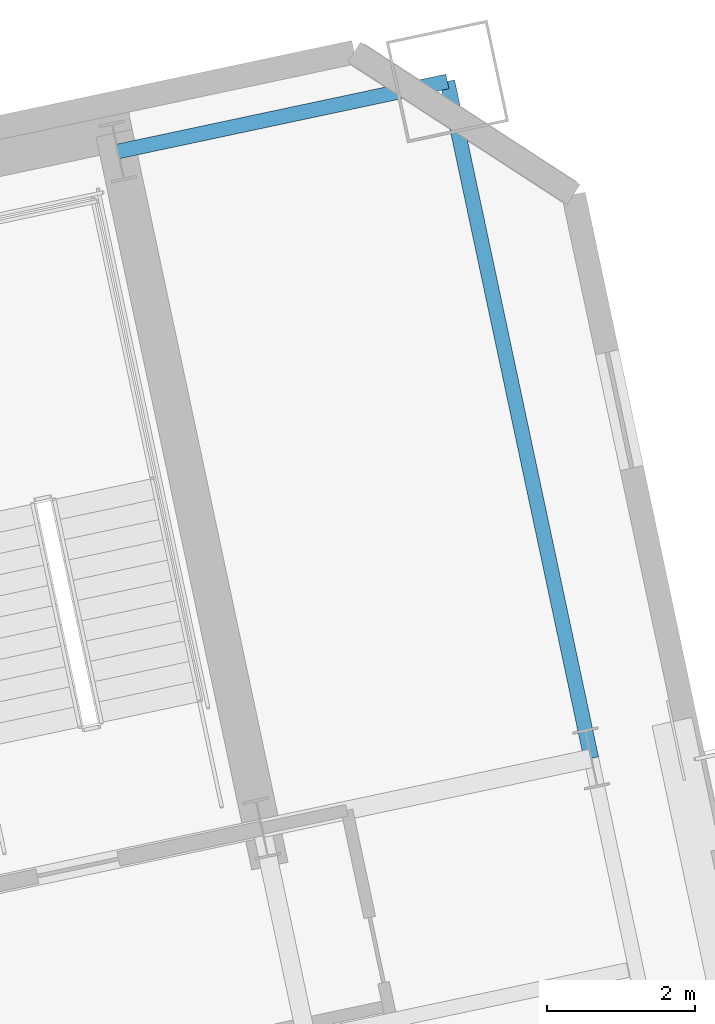
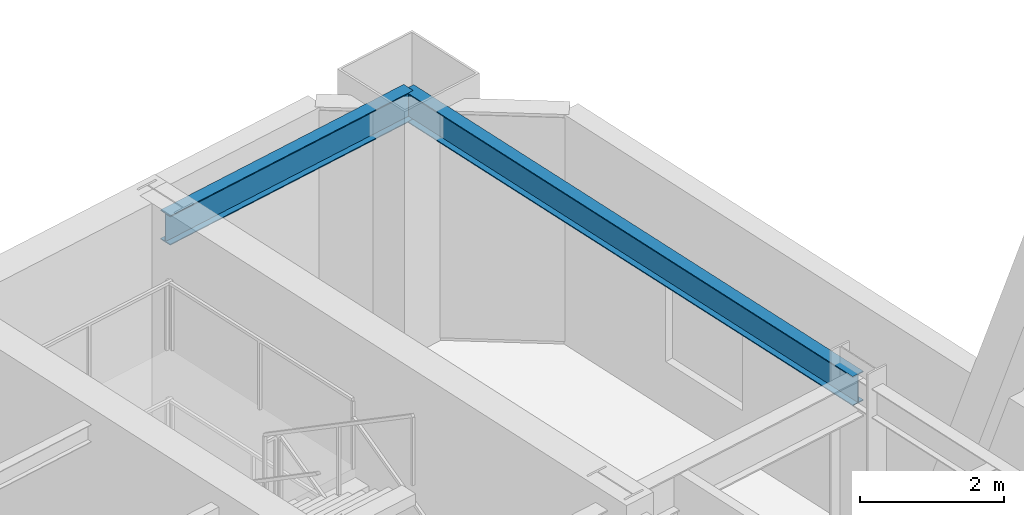
# One storey, part 9 of 22: 2 beams.
"""IFC4 building model written with IfcOpenShell, lengths in metres."""

from ifc_helpers import new_model, si_unit, direction, frame, origin, origin_2d, place, context, subcontext, project, spatial, i_section, extrude, material, material_profile, profile_set, type_object, element, save


model = new_model("IFC4")

# Units and contexts
model_context = context("Model", 3, precision=1e-05, world=origin(), true_north=direction((0.0, 1.0)))
body_context = subcontext(model_context, "Body", "Model", "MODEL_VIEW")
ifc_project = project(units=[si_unit("LENGTHUNIT", "METRE"), si_unit("AREAUNIT", "SQUARE_METRE"), si_unit("VOLUMEUNIT", "CUBIC_METRE"), si_unit("PLANEANGLEUNIT", "RADIAN"), si_unit("MASSUNIT", "GRAM", prefix="KILO")], contexts=[model_context])

# Site, building, storey
site_placement = place(None, origin())
site = spatial("IfcSite", under=ifc_project, at=site_placement, CompositionType="ELEMENT")
building_placement = place(site_placement, origin())
building = spatial("IfcBuilding", under=site, at=building_placement, Name="Haevon Station Towers", CompositionType="ELEMENT")
storey_placement = place(building_placement, frame((0.0, 0.0, 133.800048828125)))
storey = spatial("IfcBuildingStorey", under=building, at=storey_placement, Name="L36", CompositionType="ELEMENT", Elevation=133.800048828125)

# Beams
ifc_material = material(Name="Steel S355", Category="steel")
ifc_material_profile = material_profile(ifc_material, i_section(OverallWidth=0.199951171875, OverallDepth=0.5, WebThickness=0.010009765625, FlangeThickness=0.01611328125, at=origin_2d()), Name="H-500x200x10x16")
ifc_profile_set = profile_set([ifc_material_profile], Name="Steel S355")
beam_type = type_object("IfcBeamType", Name="BM-SP500", PredefinedType="SPANDREL", material=ifc_profile_set)
beam_1_placement = place(storey_placement, frame((117.349365234375, 50.954345703125, 3.669921875), z_axis=(0.978157487225, 0.207865173094, 0.0), x_axis=(-0.207865173094, 0.978157487225, 0.0)))
element("IfcBeam", 1, at=beam_1_placement, inside=storey, type_object=beam_type, Name="BM-T2U-L36-04-04", PredefinedType="SPANDREL", context=body_context, shape_type="SweptSolid", body=[
    extrude(i_section(OverallWidth=0.199951171875, OverallDepth=0.5, WebThickness=0.010009765625, FlangeThickness=0.01611328125, at=origin_2d()), origin(), (0.0, 0.0, 1.0), 4.550048828125),
])
beam_2_placement = place(storey_placement, frame((123.744140625, 42.754638671875, 3.669921875), z_axis=(-0.207927460032, 0.978144248751, 0.0), x_axis=(-0.978144248751, -0.207927460032, 0.0)))
element("IfcBeam", 2, at=beam_2_placement, inside=storey, type_object=beam_type, Name="BM-T2V-L36-05-03", PredefinedType="SPANDREL", context=body_context, shape_type="SweptSolid", body=[
    extrude(i_section(OverallWidth=0.199951171875, OverallDepth=0.5, WebThickness=0.010009765625, FlangeThickness=0.01611328125, at=origin_2d()), origin(), (0.0, 0.0, 1.0), 9.349853515625),
])

save(model, "model.ifc")
